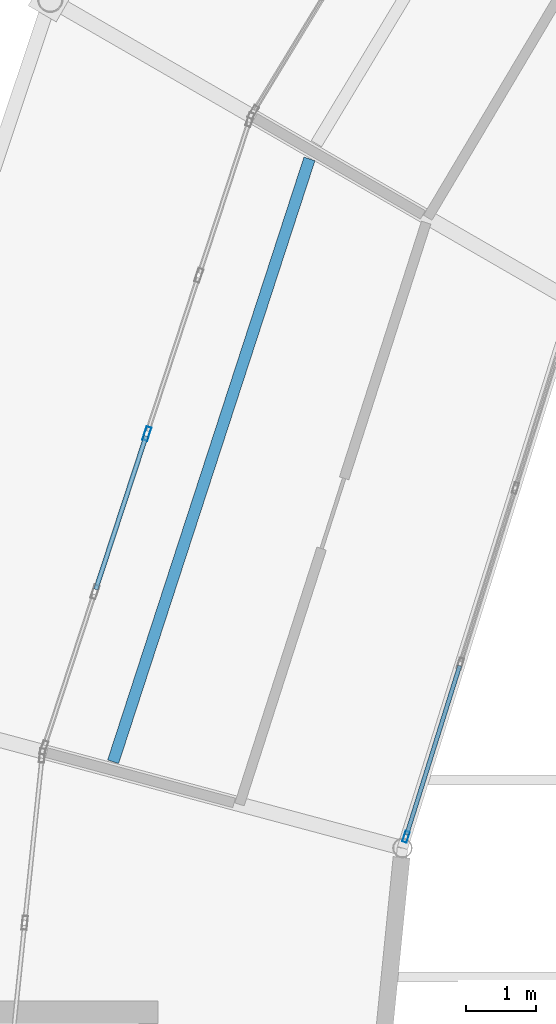
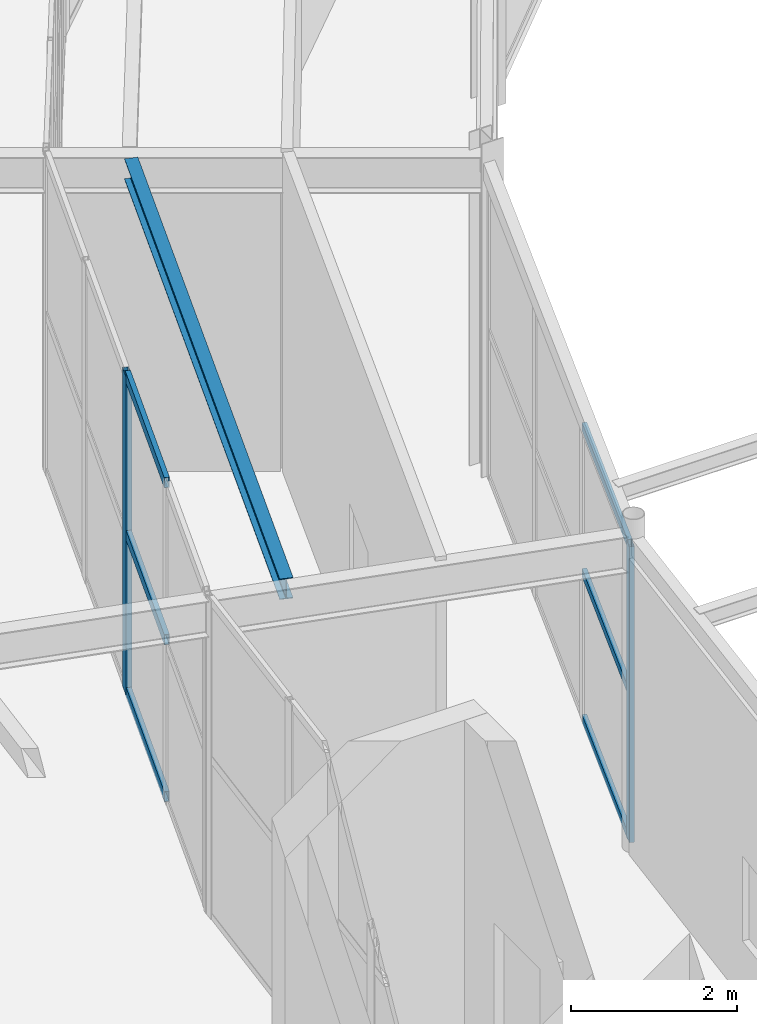
# One storey, part 47 of 144: 8 members, 1 beam, 2 elements without a shape of their own.
"""IFC4 building model written with IfcOpenShell, lengths in metres."""

import ifcopenshell
import ifcopenshell.guid

model = None  # the IFC model being written
_history = None  # IfcOwnerHistory: only IFC2X3 demands one
_inside = {}  # id of a spatial element -> (the spatial element, [elements in it])
_under = {}  # id of a project, library or spatial element -> (it, [spatial elements below it])
_declared = {}  # id of a project -> (the project, [libraries it declares])
_typed = {}  # id of a type object -> (the type object, [elements of that type])
_made_of = {}  # id of a material, layer set ... -> (it, [elements and type objects made of it])


def new_model(schema):
    """Start an empty IFC model of exactly this schema.

    Asked for "IFC4X3", IfcOpenShell would pick the latest addendum, in which some entities
    have other attributes; the version numbers below select the first issue.
    IFC2X3 requires an IfcOwnerHistory on every rooted entity: one is made here for all.
    """
    global model, _history
    if schema == "IFC4X3":
        model = ifcopenshell.file(schema_version=(4, 3, 0, 0))
    else:
        model = ifcopenshell.file(schema=schema)
    _inside.clear()
    _under.clear()
    _declared.clear()
    _typed.clear()
    _made_of.clear()
    _history = None
    if model.schema == "IFC2X3":
        org = make("IfcOrganization", Name="unknown")
        user = make(
            "IfcPersonAndOrganization",
            ThePerson=make("IfcPerson", FamilyName="unknown"),
            TheOrganization=org,
        )
        app = make(
            "IfcApplication",
            ApplicationDeveloper=org,
            Version="unknown",
            ApplicationFullName="unknown",
            ApplicationIdentifier="unknown",
        )
        _history = make(
            "IfcOwnerHistory",
            OwningUser=user,
            OwningApplication=app,
            ChangeAction="ADDED",
            CreationDate=0,
        )
    return model


def make(cls, **values):
    """One entity of the class cls with the attributes given. An attribute that is None is left unset."""
    return model.create_entity(
        cls, **{name: value for name, value in values.items() if value is not None}
    )


def rooted(cls, **values):
    """An entity with a GlobalId (a new one), such as an element, a storey or a relation."""
    return make(cls, GlobalId=ifcopenshell.guid.new(), OwnerHistory=_history, **values)


def si_unit(unit_type, name, prefix=None):
    """IfcSIUnit, for example si_unit("LENGTHUNIT", "METRE", prefix="MILLI")."""
    return make("IfcSIUnit", UnitType=unit_type, Prefix=prefix, Name=name)


def assignment(units):
    """IfcUnitAssignment: the units of a project."""
    return None if units is None else make("IfcUnitAssignment", Units=units)


def point(xyz):
    """IfcCartesianPoint."""
    return None if xyz is None else make("IfcCartesianPoint", Coordinates=xyz)


def direction(xyz):
    """IfcDirection."""
    return None if xyz is None else make("IfcDirection", DirectionRatios=xyz)


def frame(location, z_axis=None, x_axis=None):
    """IfcAxis2Placement3D, a coordinate frame: its origin and axes. An axis left out is left unset."""
    return make(
        "IfcAxis2Placement3D",
        Location=point(location),
        Axis=direction(z_axis),
        RefDirection=direction(x_axis),
    )


def frame_2d(location, x_axis=None):
    """IfcAxis2Placement2D, a coordinate frame in the plane: its origin and x axis."""
    return make(
        "IfcAxis2Placement2D", Location=point(location), RefDirection=direction(x_axis)
    )


def origin():
    """The frame at (0, 0, 0) with its axes left unset."""
    return frame((0.0, 0.0, 0.0))


def origin_2d():
    """The frame at (0, 0) in the plane with its x axis left unset."""
    return frame_2d((0.0, 0.0))


def place(relative_to, where):
    """IfcLocalPlacement: puts the frame where relative to a parent placement (None: the world)."""
    return make(
        "IfcLocalPlacement", PlacementRelTo=relative_to, RelativePlacement=where
    )


def context(
    kind, dimensions, precision=None, world=None, true_north=None, identifier=None
):
    """IfcGeometricRepresentationContext, for example the 3D "Model" context."""
    return make(
        "IfcGeometricRepresentationContext",
        ContextIdentifier=identifier,
        ContextType=kind,
        CoordinateSpaceDimension=dimensions,
        Precision=precision,
        WorldCoordinateSystem=world,
        TrueNorth=true_north,
    )


def subcontext(parent, identifier, kind, view, scale=None):
    """IfcGeometricRepresentationSubContext, for example "Body" below "Model"."""
    return make(
        "IfcGeometricRepresentationSubContext",
        ContextIdentifier=identifier,
        ContextType=kind,
        ParentContext=parent,
        TargetScale=scale,
        TargetView=view,
    )


def project(units=None, contexts=None):
    """IfcProject with its units and contexts."""
    return rooted(
        "IfcProject",
        Name="project",
        RepresentationContexts=contexts,
        UnitsInContext=assignment(units),
    )


def spatial(cls, under=None, at=None, **own):
    """A site, building, storey or space (cls), placed at a placement, below another one or the project."""
    s = rooted(cls, ObjectPlacement=at, **own)
    if under is not None:
        _under.setdefault(under.id(), (under, []))[1].append(s)
    return s


def profile(cls, at=None, kind="AREA", **sizes):
    """A parametric profile (cls). Its sizes go by their IFC names, for example OverallWidth=200.0."""
    return make(cls, ProfileType=kind, Position=at, **sizes)


def hollow_rectangle(**sizes):
    """IfcRectangleHollowProfileDef."""
    return profile("IfcRectangleHollowProfileDef", **sizes)


def i_section(**sizes):
    """IfcIShapeProfileDef."""
    return profile("IfcIShapeProfileDef", **sizes)


def extrude(swept, where, along, depth):
    """IfcExtrudedAreaSolid: the profile swept, set in the frame where, extruded along a direction by depth."""
    return make(
        "IfcExtrudedAreaSolid",
        SweptArea=swept,
        Position=where,
        ExtrudedDirection=direction(along),
        Depth=depth,
    )


def shape(context_of_items, identifier, shape_type, items):
    """IfcShapeRepresentation: the items that make up one representation, for example the "Body"."""
    return make(
        "IfcShapeRepresentation",
        ContextOfItems=context_of_items,
        RepresentationIdentifier=identifier,
        RepresentationType=shape_type,
        Items=items,
    )


def material(Name=None, Category=None):
    """IfcMaterial."""
    return make("IfcMaterial", Name=Name, Category=Category)


def material_profile(
    of_material, cross_section, Name=None, Category=None, Priority=None
):
    """IfcMaterialProfile: a cross section and its material."""
    return make(
        "IfcMaterialProfile",
        Name=Name,
        Material=of_material,
        Profile=cross_section,
        Priority=Priority,
        Category=Category,
    )


def profile_set(profiles, Name=None, composite=None):
    """IfcMaterialProfileSet."""
    return make(
        "IfcMaterialProfileSet",
        Name=Name,
        MaterialProfiles=profiles,
        CompositeProfile=composite,
    )


def made_of(thing, what):
    """Note that an element or type object is made of a material, layer set ...; save() writes the relation."""
    if what is not None:
        _made_of.setdefault(what.id(), (what, []))[1].append(thing)
    return thing


def type_object(cls, material=None, **own):
    """A type object (cls), such as IfcWallType, which elements share."""
    return made_of(rooted(cls, **own), material)


def element(
    cls,
    number,
    at=None,
    inside=None,
    cuts=None,
    type_object=None,
    material=None,
    context=None,
    identifier="Body",
    shape_type=None,
    held_by="IfcProductDefinitionShape",
    body=None,
    shapes=None,
    **own,
):
    """One element of the class cls, such as IfcWall. Its Tag is "e" and its number.

    at: its placement. inside: the storey or other place that contains it. cuts: it is an
    opening in that element (IfcRelVoidsElement). A single representation is given by context,
    identifier, shape_type and body (its items); several are given by shapes. held_by: the class
    of the entity that holds the representations. save() writes the other relations.
    """
    e = rooted(cls, Tag="e%d" % number, ObjectPlacement=at, **own)
    if body is not None:
        shapes = [shape(context, identifier, shape_type, body)]
    if shapes is not None:
        e.Representation = make(held_by, Representations=shapes)
    if inside is not None:
        _inside.setdefault(inside.id(), (inside, []))[1].append(e)
    if cuts is not None:
        rooted(
            "IfcRelVoidsElement", RelatingBuildingElement=cuts, RelatedOpeningElement=e
        )
    if type_object is not None:
        _typed.setdefault(type_object.id(), (type_object, []))[1].append(e)
    return made_of(e, material)


def aggregate(whole, parts):
    """IfcRelAggregates: a whole, such as a stair, and the parts it consists of."""
    return rooted("IfcRelAggregates", RelatingObject=whole, RelatedObjects=parts)


def save(model, path):
    """Write the relations noted so far, then the file.

    IfcRelAggregates (storeys below a building ...), IfcRelContainedInSpatialStructure (elements
    in a storey), IfcRelDefinesByType, IfcRelAssociatesMaterial and IfcRelDeclares: one each for
    every whole, place, type object, material and project.
    """
    for whole, parts in _under.values():
        aggregate(whole, parts)
    for where, things in _inside.values():
        rooted(
            "IfcRelContainedInSpatialStructure",
            RelatedElements=things,
            RelatingStructure=where,
        )
    for kind, things in _typed.values():
        rooted("IfcRelDefinesByType", RelatedObjects=things, RelatingType=kind)
    for what, things in _made_of.values():
        rooted("IfcRelAssociatesMaterial", RelatedObjects=things, RelatingMaterial=what)
    for by, libraries in _declared.values():
        rooted("IfcRelDeclares", RelatingContext=by, RelatedDefinitions=libraries)
    model.write(path)


model = new_model("IFC4")

# Units and contexts
model_context = context("Model", 3, precision=1e-05, world=origin(), true_north=direction((0.0, 1.0)))
body_context = subcontext(model_context, "Body", "Model", "MODEL_VIEW")
ifc_project = project(units=[si_unit("LENGTHUNIT", "METRE"), si_unit("AREAUNIT", "SQUARE_METRE"), si_unit("VOLUMEUNIT", "CUBIC_METRE"), si_unit("PLANEANGLEUNIT", "RADIAN"), si_unit("MASSUNIT", "GRAM", prefix="KILO")], contexts=[model_context])

# Site, building, storey
site_placement = place(None, origin())
site = spatial("IfcSite", under=ifc_project, at=site_placement, CompositionType="ELEMENT")
building_placement = place(site_placement, origin())
building = spatial("IfcBuilding", under=site, at=building_placement, Name="Karori Crest Natural Sciences Institute", CompositionType="ELEMENT")
storey_placement = place(building_placement, origin())
storey = spatial("IfcBuildingStorey", under=building, at=storey_placement, Name="L00", CompositionType="ELEMENT", Elevation=0.0)

# Beam
ifc_material_1 = material(Name="Structural steel AS/NZS 3679.1 Grade 350", Category="steel")
ifc_material_profile_1 = material_profile(ifc_material_1, i_section(OverallWidth=0.1650390625, OverallDepth=0.303955078125, WebThickness=0.006103515625, FlangeThickness=0.01025390625, FilletRadius=0.010986328125, at=origin_2d()), Name="310UB40.4")
ifc_profile_set_1 = profile_set([ifc_material_profile_1], Name="Structural steel AS/NZS 3679.1 Grade 350")
beam_type = type_object("IfcBeamType", Name="BT-10", PredefinedType="BEAM", material=ifc_profile_set_1)
beam_placement = place(storey_placement, frame((41.5078125, 68.035888671875, 4.488037109375), z_axis=(-0.309674277679, -0.950842700842, 0.0), x_axis=(0.950842700842, -0.309674277679, 0.0)))
element("IfcBeam", 1, at=beam_placement, inside=storey, type_object=beam_type, Name="Beam B-0132", PredefinedType="BEAM", context=body_context, shape_type="SweptSolid", body=[
    extrude(i_section(OverallWidth=0.1650390625, OverallDepth=0.303955078125, WebThickness=0.006103515625, FlangeThickness=0.01025390625, FilletRadius=0.010986328125, at=origin_2d()), origin(), (0.0, 0.0, 1.0), 9.018310546875),
])

# Curtain wall, member
ifc_material_2 = material(Name="Anodised architectural aluminium 6063-T6", Category="aluminium")
curtain_wall_type_1 = type_object("IfcCurtainWallType", Name="CWT-11", PredefinedType="NOTDEFINED", material=ifc_material_2)
curtain_wall_1_placement = place(storey_placement, origin())
curtain_wall_1 = element("IfcCurtainWall", 2, at=curtain_wall_1_placement, inside=storey, type_object=curtain_wall_type_1, Name="Curtain wall CW-0014", PredefinedType="NOTDEFINED")
ifc_material_profile_2 = material_profile(ifc_material_2, hollow_rectangle(XDim=0.06494140625, YDim=0.159912109375, WallThickness=0.00390625, at=origin_2d()), Name="CWM160x65x4")
ifc_profile_set_2 = profile_set([ifc_material_profile_2], Name="Anodised architectural aluminium 6063-T6")
member_type_1 = type_object("IfcMemberType", Name="CWM-01", PredefinedType="MULLION", material=ifc_profile_set_2)
member_1_placement = place(storey_placement, frame((42.88134765625, 58.393310546875, 0.0), z_axis=(0.0, 0.0, 1.0), x_axis=(0.954103649609, -0.2994765864, 0.0)))
member_1 = element("IfcMember", 3, at=member_1_placement, type_object=member_type_1, Name="CW-0014 mullion 4", PredefinedType="MULLION", context=body_context, shape_type="SweptSolid", body=[
    extrude(hollow_rectangle(XDim=0.06494140625, YDim=0.159912109375, WallThickness=0.00390625, at=origin_2d()), origin(), (0.0, 0.0, 1.0), 4.35009765625),
])

curtain_wall_type_2 = type_object("IfcCurtainWallType", Name="CWT-01", PredefinedType="NOTDEFINED", material=ifc_material_2)
curtain_wall_2_placement = place(storey_placement, origin())
curtain_wall_2 = element("IfcCurtainWall", 4, at=curtain_wall_2_placement, inside=storey, type_object=curtain_wall_type_2, Name="Curtain wall CW-0013", PredefinedType="NOTDEFINED")
ifc_material_profile_3 = material_profile(ifc_material_2, hollow_rectangle(XDim=0.074951171875, YDim=0.199951171875, WallThickness=0.0048828125, at=origin_2d()), Name="CWM200x75x5")
ifc_profile_set_3 = profile_set([ifc_material_profile_3], Name="Anodised architectural aluminium 6063-T6")
member_type_2 = type_object("IfcMemberType", Name="CWM-02", PredefinedType="MULLION", material=ifc_profile_set_3)
member_2_placement = place(storey_placement, frame((39.195556640625, 64.1279296875, 0.0), z_axis=(0.0, 0.0, 1.0), x_axis=(-0.950175969879, 0.311714013584, 0.0)))
member_2 = element("IfcMember", 5, at=member_2_placement, type_object=member_type_2, Name="CW-0013 mullion 3", PredefinedType="MULLION", context=body_context, shape_type="SweptSolid", body=[
    extrude(hollow_rectangle(XDim=0.074951171875, YDim=0.199951171875, WallThickness=0.0048828125, at=origin_2d()), origin(), (0.0, 0.0, 1.0), 4.679931640625),
])

# Member
ifc_material_profile_4 = material_profile(ifc_material_2, hollow_rectangle(XDim=0.06005859375, YDim=0.1201171875, WallThickness=0.00390625, at=origin_2d()), Name="CWT120x60x4")
ifc_profile_set_4 = profile_set([ifc_material_profile_4], Name="Anodised architectural aluminium 6063-T6")
member_type_3 = type_object("IfcMemberType", Name="CWT-TR1", PredefinedType="USERDEFINED", material=ifc_profile_set_4)
member_3_placement = place(storey_placement, frame((43.645263671875, 60.826416015625, 0.030029296875), z_axis=(-0.299539132348, -0.954084015269, 0.0), x_axis=(0.954084015269, -0.299539132348, 0.0)))
member_3 = element("IfcMember", 6, at=member_3_placement, type_object=member_type_3, Name="CW-0014 transom 3.1", ObjectType="TRANSOM", PredefinedType="USERDEFINED", context=body_context, shape_type="SweptSolid", body=[
    extrude(hollow_rectangle(XDim=0.06005859375, YDim=0.1201171875, WallThickness=0.00390625, at=origin_2d()), origin(), (0.0, 0.0, 1.0), 2.517822265625),
])

member_4_placement = place(storey_placement, frame((43.645263671875, 60.826416015625, 2.175048828125), z_axis=(-0.299539132348, -0.954084015269, 0.0), x_axis=(0.954084015269, -0.299539132348, 0.0)))
member_4 = element("IfcMember", 7, at=member_4_placement, type_object=member_type_3, Name="CW-0014 transom 3.2", ObjectType="TRANSOM", PredefinedType="USERDEFINED", context=body_context, shape_type="SweptSolid", body=[
    extrude(hollow_rectangle(XDim=0.06005859375, YDim=0.1201171875, WallThickness=0.00390625, at=origin_2d()), origin(), (0.0, 0.0, 1.0), 2.517822265625),
])

member_5_placement = place(storey_placement, frame((43.645263671875, 60.826416015625, 4.320068359375), z_axis=(-0.299539132348, -0.954084015269, 0.0), x_axis=(0.954084015269, -0.299539132348, 0.0)))
member_5 = element("IfcMember", 8, at=member_5_placement, type_object=member_type_3, Name="CW-0014 transom 3.3", ObjectType="TRANSOM", PredefinedType="USERDEFINED", context=body_context, shape_type="SweptSolid", body=[
    extrude(hollow_rectangle(XDim=0.06005859375, YDim=0.1201171875, WallThickness=0.00390625, at=origin_2d()), origin(), (0.0, 0.0, 1.0), 2.517822265625),
])

aggregate(curtain_wall_1, [member_1, member_3, member_4, member_5])

ifc_material_profile_5 = material_profile(ifc_material_2, hollow_rectangle(XDim=0.06494140625, YDim=0.14990234375, WallThickness=0.00390625, at=origin_2d()), Name="CWT150x65x4")
ifc_profile_set_5 = profile_set([ifc_material_profile_5], Name="Anodised architectural aluminium 6063-T6")
member_type_4 = type_object("IfcMemberType", Name="CWT-TR2", PredefinedType="USERDEFINED", material=ifc_profile_set_5)
member_6_placement = place(storey_placement, frame((38.468505859375, 61.911865234375, 0.032470703125), z_axis=(0.311723893704, 0.950172728557, 0.0), x_axis=(-0.950172728557, 0.311723893704, 0.0)))
member_6 = element("IfcMember", 9, at=member_6_placement, type_object=member_type_4, Name="CW-0013 transom 2.1", ObjectType="TRANSOM", PredefinedType="USERDEFINED", context=body_context, shape_type="SweptSolid", body=[
    extrude(hollow_rectangle(XDim=0.06494140625, YDim=0.14990234375, WallThickness=0.00390625, at=origin_2d()), origin(), (0.0, 0.0, 1.0), 2.294677734375),
])

member_7_placement = place(storey_placement, frame((38.468505859375, 61.911865234375, 2.340087890625), z_axis=(0.311723893704, 0.950172728557, 0.0), x_axis=(-0.950172728557, 0.311723893704, 0.0)))
member_7 = element("IfcMember", 10, at=member_7_placement, type_object=member_type_4, Name="CW-0013 transom 2.2", ObjectType="TRANSOM", PredefinedType="USERDEFINED", context=body_context, shape_type="SweptSolid", body=[
    extrude(hollow_rectangle(XDim=0.06494140625, YDim=0.14990234375, WallThickness=0.00390625, at=origin_2d()), origin(), (0.0, 0.0, 1.0), 2.294677734375),
])

member_8_placement = place(storey_placement, frame((38.468505859375, 61.911865234375, 4.6474609375), z_axis=(0.311723893704, 0.950172728557, 0.0), x_axis=(-0.950172728557, 0.311723893704, 0.0)))
member_8 = element("IfcMember", 11, at=member_8_placement, type_object=member_type_4, Name="CW-0013 transom 2.3", ObjectType="TRANSOM", PredefinedType="USERDEFINED", context=body_context, shape_type="SweptSolid", body=[
    extrude(hollow_rectangle(XDim=0.06494140625, YDim=0.14990234375, WallThickness=0.00390625, at=origin_2d()), origin(), (0.0, 0.0, 1.0), 2.294677734375),
])

aggregate(curtain_wall_2, [member_2, member_6, member_7, member_8])

save(model, "model.ifc")
